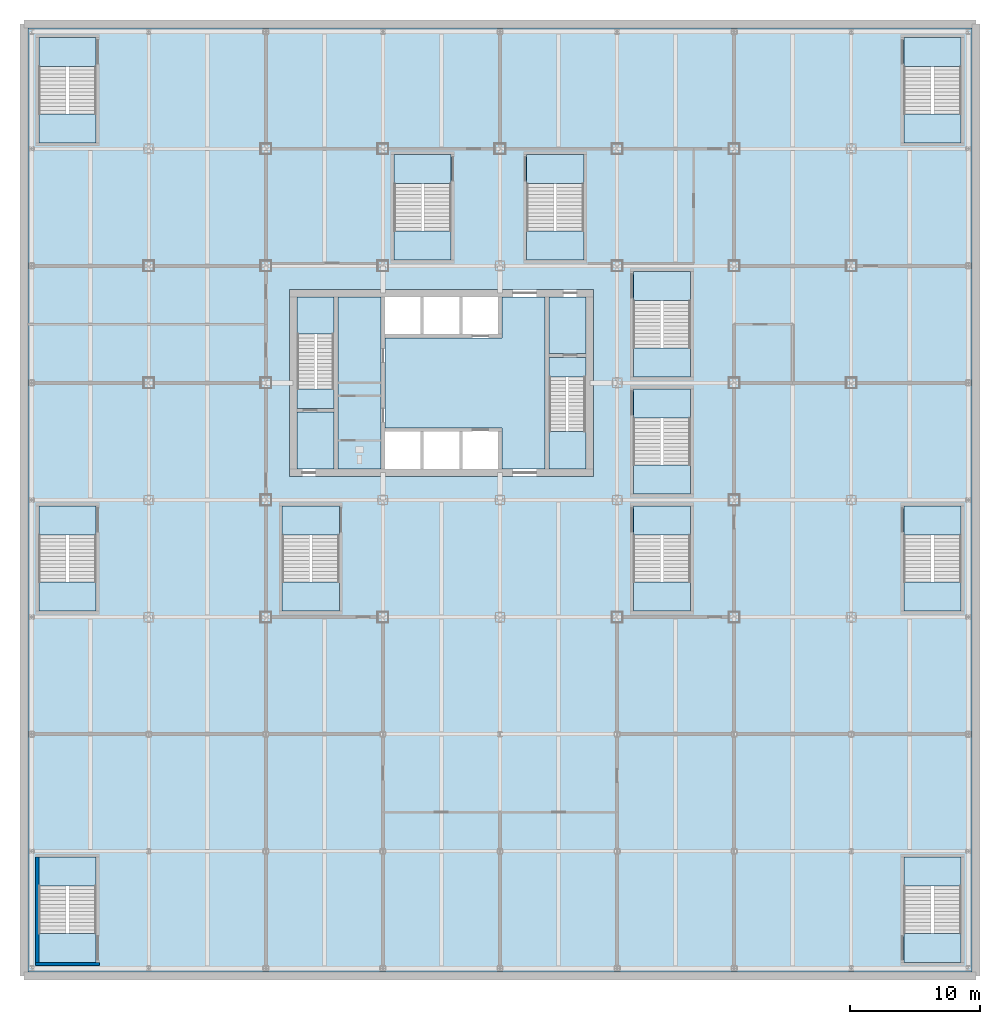
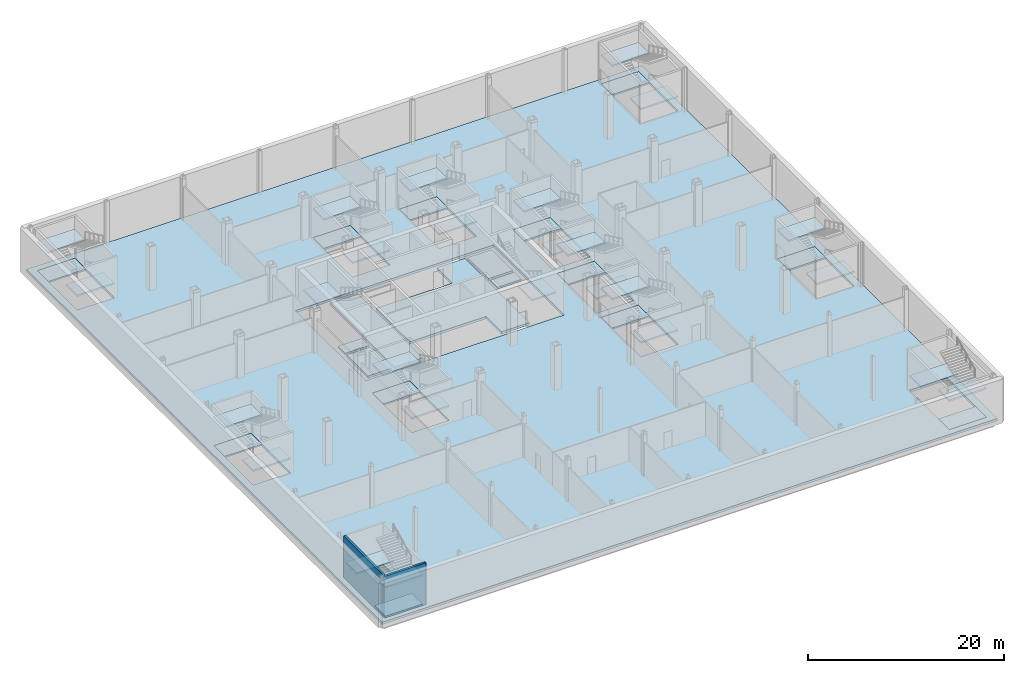
# One storey, part 7 of 27: 45 slabs, 2 walls, 14 elements without a shape of their own.
"""IFC4 building model written with IfcOpenShell, lengths in metres."""

from ifc_helpers import new_model, si_unit, direction, frame, frame_2d, origin, place, context, subcontext, project, spatial, polyline, rectangle, outline, extrude, material, layer, layer_set, type_object, element, aggregate, save


model = new_model("IFC4")

# Units and contexts
model_context = context("Model", 3, precision=1e-05, world=origin(), true_north=direction((0.0, 1.0)))
body_context = subcontext(model_context, "Body", "Model", "MODEL_VIEW")
ifc_project = project(units=[si_unit("LENGTHUNIT", "METRE"), si_unit("AREAUNIT", "SQUARE_METRE"), si_unit("VOLUMEUNIT", "CUBIC_METRE"), si_unit("PLANEANGLEUNIT", "RADIAN"), si_unit("MASSUNIT", "GRAM", prefix="KILO")], contexts=[model_context])

# Site, building, storey
site_placement = place(None, origin())
site = spatial("IfcSite", under=ifc_project, at=site_placement, CompositionType="ELEMENT")
building_placement = place(site_placement, origin())
building = spatial("IfcBuilding", under=site, at=building_placement, Name="Loomwork Tower", CompositionType="ELEMENT")
storey_placement = place(building_placement, frame((0.0, 0.0, -5.5)))
storey = spatial("IfcBuildingStorey", under=building, at=storey_placement, Name="B1", CompositionType="ELEMENT", Elevation=-5.5)

# Slabs
ifc_material_1 = material(Name="Concrete 5000 psi (34 MPa) on composite metal deck", Category="concrete")
ifc_layer_1 = layer(ifc_material_1, 0.300048828125)
ifc_layer_set_1 = layer_set([ifc_layer_1], Name="Floor slab 300")
slab_type_1 = type_object("IfcSlabType", Name="Floor slab 300", PredefinedType="FLOOR", material=ifc_layer_set_1)
slab_1_placement = place(storey_placement, frame((0.0, 0.0, -0.300048828125)))
element("IfcSlab", 1, at=slab_1_placement, inside=storey, type_object=slab_type_1, Name="Floor slab B1", PredefinedType="FLOOR", context=body_context, shape_type="SweptSolid", body=[
    extrude(outline(polyline([(-9.300048828125, -27.300048828125), (-9.300048828125, 45.300048828125), (63.300048828125, 45.300048828125), (63.300048828125, -27.300048828125), (-9.300048828125, -27.300048828125)]), holes=[polyline([(62.449951171875, -26.550048828125), (62.449951171875, -18.449951171875), (58.050048828125, -18.449951171875), (58.050048828125, -26.550048828125), (62.449951171875, -26.550048828125)]), polyline([(58.050048828125, 36.449951171875), (62.449951171875, 36.449951171875), (62.449951171875, 44.550048828125), (58.050048828125, 44.550048828125), (58.050048828125, 36.449951171875)]), polyline([(58.050048828125, 0.449951171875), (62.449951171875, 0.449951171875), (62.449951171875, 8.550048828125), (58.050048828125, 8.550048828125), (58.050048828125, 0.449951171875)]), polyline([(41.64990234375, 9.449951171875), (41.64990234375, 17.550048828125), (37.25, 17.550048828125), (37.25, 9.449951171875), (41.64990234375, 9.449951171875)]), polyline([(37.25, 18.449951171875), (41.64990234375, 18.449951171875), (41.64990234375, 26.550048828125), (37.25, 26.550048828125), (37.25, 18.449951171875)]), polyline([(37.25, 0.449951171875), (41.64990234375, 0.449951171875), (41.64990234375, 8.550048828125), (37.25, 8.550048828125), (37.25, 0.449951171875)]), polyline([(34.199951171875, 11.39990234375), (34.199951171875, 24.60009765625), (34.199951171875, 25.199951171875), (10.800048828125, 25.199951171875), (10.800048828125, 24.60009765625), (10.800048828125, 11.39990234375), (10.800048828125, 11.39990234375), (10.800048828125, 10.800048828125), (34.199951171875, 10.800048828125), (34.199951171875, 11.39990234375), (34.199951171875, 11.39990234375)]), polyline([(29.050048828125, 27.449951171875), (33.449951171875, 27.449951171875), (33.449951171875, 35.550048828125), (29.050048828125, 35.550048828125), (29.050048828125, 27.449951171875)]), polyline([(18.85009765625, 27.449951171875), (23.25, 27.449951171875), (23.25, 35.550048828125), (18.85009765625, 35.550048828125), (18.85009765625, 27.449951171875)]), polyline([(10.25, 0.449951171875), (14.64990234375, 0.449951171875), (14.64990234375, 8.550048828125), (10.25, 8.550048828125), (10.25, 0.449951171875)]), polyline([(-4.050048828125, -26.550048828125), (-4.050048828125, -18.449951171875), (-8.449951171875, -18.449951171875), (-8.449951171875, -26.550048828125), (-4.050048828125, -26.550048828125)]), polyline([(-8.449951171875, 36.449951171875), (-4.050048828125, 36.449951171875), (-4.050048828125, 44.550048828125), (-8.449951171875, 44.550048828125), (-8.449951171875, 36.449951171875)]), polyline([(-8.449951171875, 0.449951171875), (-4.050048828125, 0.449951171875), (-4.050048828125, 8.550048828125), (-8.449951171875, 8.550048828125), (-8.449951171875, 0.449951171875)])]), origin(), (0.0, 0.0, 1.0), 0.300048828125),
])
slab_2_placement = place(storey_placement, frame((0.0, 0.0, -0.300048828125)))
element("IfcSlab", 2, at=slab_2_placement, inside=storey, type_object=slab_type_1, Name="Floor slab B1", PredefinedType="FLOOR", context=body_context, shape_type="SweptSolid", body=[
    extrude(outline(polyline([(18.14990234375, 21.449951171875), (27.14990234375, 21.449951171875), (27.14990234375, 21.75), (27.14990234375, 24.60009765625), (30.449951171875, 24.60009765625), (30.449951171875, 11.39990234375), (27.14990234375, 11.39990234375), (27.14990234375, 14.25), (27.14990234375, 14.550048828125), (18.14990234375, 14.550048828125), (18.14990234375, 21.449951171875)])), origin(), (0.0, 0.0, 1.0), 0.300048828125),
])
slab_3_placement = place(storey_placement, frame((0.0, 0.0, -0.300048828125)))
element("IfcSlab", 3, at=slab_3_placement, inside=storey, type_object=slab_type_1, Name="Floor slab B1", PredefinedType="FLOOR", context=body_context, shape_type="SweptSolid", body=[
    extrude(outline(polyline([(14.550048828125, 24.60009765625), (17.85009765625, 24.60009765625), (17.85009765625, 11.39990234375), (14.550048828125, 11.39990234375), (14.550048828125, 24.60009765625)])), origin(), (0.0, 0.0, 1.0), 0.300048828125),
])
slab_4_placement = place(storey_placement, frame((0.0, 0.0, -0.300048828125)))
element("IfcSlab", 4, at=slab_4_placement, inside=storey, type_object=slab_type_1, Name="Floor slab B1", PredefinedType="FLOOR", context=body_context, shape_type="SweptSolid", body=[
    extrude(outline(polyline([(33.60009765625, 20.25), (30.75, 20.25), (30.75, 24.60009765625), (33.60009765625, 24.60009765625), (33.60009765625, 20.25)])), origin(), (0.0, 0.0, 1.0), 0.300048828125),
])
slab_5_placement = place(storey_placement, frame((0.0, 0.0, -0.300048828125)))
element("IfcSlab", 5, at=slab_5_placement, inside=storey, type_object=slab_type_1, Name="Floor slab B1", PredefinedType="FLOOR", context=body_context, shape_type="SweptSolid", body=[
    extrude(outline(polyline([(14.25, 15.75), (14.25, 11.39990234375), (11.39990234375, 11.39990234375), (11.39990234375, 15.75), (14.25, 15.75)])), origin(), (0.0, 0.0, 1.0), 0.300048828125),
])

# Stair, slabs
ifc_material_2 = material(Name="Concrete 5000 psi (34 MPa) precast stair", Category="concrete")
stair_type_1 = type_object("IfcStairType", Name="Stair ST-A 32 risers 2850 wide", PredefinedType="HALF_TURN_STAIR", material=ifc_material_2)
stair_1_placement = place(storey_placement, origin())
stair_1 = element("IfcStair", 6, at=stair_1_placement, inside=storey, type_object=stair_type_1, Name="Stair A B1", PredefinedType="HALF_TURN_STAIR")
ifc_material_3 = material(Name="Concrete 5000 psi (34 MPa)", Category="concrete")
ifc_layer_2 = layer(ifc_material_3, 0.199951171875)
ifc_layer_set_2 = layer_set([ifc_layer_2], Name="Stair landing 200")
slab_type_2 = type_object("IfcSlabType", Name="Stair landing 200", PredefinedType="LANDING", material=ifc_layer_set_2)
slab_6_placement = place(storey_placement, frame((0.0, 0.0, -0.199951171875)))
slab_6 = element("IfcSlab", 7, at=slab_6_placement, type_object=slab_type_2, Name="ST-A landing 1", PredefinedType="LANDING", context=body_context, shape_type="SweptSolid", body=[
    extrude(outline(polyline([(11.39990234375, 16.050048828125), (14.25, 16.050048828125), (14.25, 17.550048828125), (11.39990234375, 17.550048828125), (11.39990234375, 16.050048828125)])), origin(), (0.0, 0.0, 1.0), 0.199951171875),
])
slab_7_placement = place(storey_placement, frame((0.0, 0.0, 2.550048828125)))
slab_7 = element("IfcSlab", 8, at=slab_7_placement, type_object=slab_type_2, Name="ST-A landing 2", PredefinedType="LANDING", context=body_context, shape_type="SweptSolid", body=[
    extrude(outline(polyline([(11.39990234375, 21.75), (14.25, 21.75), (14.25, 24.60009765625), (11.39990234375, 24.60009765625), (11.39990234375, 21.75)])), origin(), (0.0, 0.0, 1.0), 0.199951171875),
])
aggregate(stair_1, [slab_6, slab_7])

ifc_material_4 = material(Name="Concrete 5000 psi (34 MPa) precast stair", Category="concrete")
stair_type_2 = type_object("IfcStairType", Name="Stair ST-B 32 risers 2850 wide", PredefinedType="HALF_TURN_STAIR", material=ifc_material_4)
stair_2_placement = place(storey_placement, origin())
stair_2 = element("IfcStair", 9, at=stair_2_placement, inside=storey, type_object=stair_type_2, Name="Stair B B1", PredefinedType="HALF_TURN_STAIR")
slab_8_placement = place(storey_placement, frame((0.0, 0.0, -0.199951171875)))
slab_8 = element("IfcSlab", 10, at=slab_8_placement, type_object=slab_type_2, Name="ST-B landing 1", PredefinedType="LANDING", context=body_context, shape_type="SweptSolid", body=[
    extrude(outline(polyline([(30.75, 18.449951171875), (33.60009765625, 18.449951171875), (33.60009765625, 19.949951171875), (30.75, 19.949951171875), (30.75, 18.449951171875)])), origin(), (0.0, 0.0, 1.0), 0.199951171875),
])
slab_9_placement = place(storey_placement, frame((0.0, 0.0, 2.550048828125)))
slab_9 = element("IfcSlab", 11, at=slab_9_placement, type_object=slab_type_2, Name="ST-B landing 2", PredefinedType="LANDING", context=body_context, shape_type="SweptSolid", body=[
    extrude(outline(polyline([(30.75, 11.39990234375), (33.60009765625, 11.39990234375), (33.60009765625, 14.25), (30.75, 14.25), (30.75, 11.39990234375)])), origin(), (0.0, 0.0, 1.0), 0.199951171875),
])
aggregate(stair_2, [slab_8, slab_9])

ifc_material_5 = material(Name="Concrete 5000 psi (34 MPa) precast stair", Category="concrete")
stair_type_3 = type_object("IfcStairType", Name="Stair ST-S1P 42 risers of 131 4400 wide", PredefinedType="HALF_TURN_STAIR", material=ifc_material_5)
stair_3_placement = place(storey_placement, origin())
stair_3 = element("IfcStair", 12, at=stair_3_placement, inside=storey, type_object=stair_type_3, Name="Podium stair PS1 B1", PredefinedType="HALF_TURN_STAIR")
slab_10_placement = place(storey_placement, frame((0.0, 0.0, -0.199951171875)))
slab_10 = element("IfcSlab", 13, at=slab_10_placement, type_object=slab_type_2, Name="ST-S1P landing 1", PredefinedType="LANDING", context=body_context, shape_type="SweptSolid", body=[
    extrude(outline(polyline([(-8.449951171875, -26.550048828125), (-4.050048828125, -26.550048828125), (-4.050048828125, -24.320068359375), (-8.449951171875, -24.320068359375), (-8.449951171875, -26.550048828125)])), origin(), (0.0, 0.0, 1.0), 0.199951171875),
])
slab_11_placement = place(storey_placement, frame((0.0, 0.0, 1.63330078125)))
slab_11 = element("IfcSlab", 14, at=slab_11_placement, type_object=slab_type_2, Name="ST-S1P landing 2", PredefinedType="LANDING", context=body_context, shape_type="SweptSolid", body=[
    extrude(outline(polyline([(-8.449951171875, -20.679931640625), (-4.050048828125, -20.679931640625), (-4.050048828125, -18.449951171875), (-8.449951171875, -18.449951171875), (-8.449951171875, -20.679931640625)])), origin(), (0.0, 0.0, 1.0), 0.199951171875),
])
slab_12_placement = place(storey_placement, frame((0.0, 0.0, 3.466796875)))
slab_12 = element("IfcSlab", 15, at=slab_12_placement, type_object=slab_type_2, Name="ST-S1P landing 3", PredefinedType="LANDING", context=body_context, shape_type="SweptSolid", body=[
    extrude(outline(polyline([(-8.449951171875, -26.550048828125), (-4.050048828125, -26.550048828125), (-4.050048828125, -24.320068359375), (-8.449951171875, -24.320068359375), (-8.449951171875, -26.550048828125)])), origin(), (0.0, 0.0, 1.0), 0.199951171875),
])
aggregate(stair_3, [slab_10, slab_11, slab_12])

ifc_material_6 = material(Name="Concrete 5000 psi (34 MPa) precast stair", Category="concrete")
stair_type_4 = type_object("IfcStairType", Name="Stair ST-S2P 42 risers of 131 4400 wide", PredefinedType="HALF_TURN_STAIR", material=ifc_material_6)
stair_4_placement = place(storey_placement, origin())
stair_4 = element("IfcStair", 16, at=stair_4_placement, inside=storey, type_object=stair_type_4, Name="Podium stair PS2 B1", PredefinedType="HALF_TURN_STAIR")
slab_13_placement = place(storey_placement, frame((0.0, 0.0, -0.199951171875)))
slab_13 = element("IfcSlab", 17, at=slab_13_placement, type_object=slab_type_2, Name="ST-S2P landing 1", PredefinedType="LANDING", context=body_context, shape_type="SweptSolid", body=[
    extrude(outline(polyline([(58.050048828125, -26.550048828125), (62.449951171875, -26.550048828125), (62.449951171875, -24.320068359375), (58.050048828125, -24.320068359375), (58.050048828125, -26.550048828125)])), origin(), (0.0, 0.0, 1.0), 0.199951171875),
])
slab_14_placement = place(storey_placement, frame((0.0, 0.0, 1.63330078125)))
slab_14 = element("IfcSlab", 18, at=slab_14_placement, type_object=slab_type_2, Name="ST-S2P landing 2", PredefinedType="LANDING", context=body_context, shape_type="SweptSolid", body=[
    extrude(outline(polyline([(58.050048828125, -20.679931640625), (62.449951171875, -20.679931640625), (62.449951171875, -18.449951171875), (58.050048828125, -18.449951171875), (58.050048828125, -20.679931640625)])), origin(), (0.0, 0.0, 1.0), 0.199951171875),
])
slab_15_placement = place(storey_placement, frame((0.0, 0.0, 3.466796875)))
slab_15 = element("IfcSlab", 19, at=slab_15_placement, type_object=slab_type_2, Name="ST-S2P landing 3", PredefinedType="LANDING", context=body_context, shape_type="SweptSolid", body=[
    extrude(outline(polyline([(58.050048828125, -26.550048828125), (62.449951171875, -26.550048828125), (62.449951171875, -24.320068359375), (58.050048828125, -24.320068359375), (58.050048828125, -26.550048828125)])), origin(), (0.0, 0.0, 1.0), 0.199951171875),
])
aggregate(stair_4, [slab_13, slab_14, slab_15])

ifc_material_7 = material(Name="Concrete 5000 psi (34 MPa) precast stair", Category="concrete")
stair_type_5 = type_object("IfcStairType", Name="Stair ST-S3P 42 risers of 131 4400 wide", PredefinedType="HALF_TURN_STAIR", material=ifc_material_7)
stair_5_placement = place(storey_placement, origin())
stair_5 = element("IfcStair", 20, at=stair_5_placement, inside=storey, type_object=stair_type_5, Name="Podium stair PS3 B1", PredefinedType="HALF_TURN_STAIR")
slab_16_placement = place(storey_placement, frame((0.0, 0.0, -0.199951171875)))
slab_16 = element("IfcSlab", 21, at=slab_16_placement, type_object=slab_type_2, Name="ST-S3P landing 1", PredefinedType="LANDING", context=body_context, shape_type="SweptSolid", body=[
    extrude(outline(polyline([(-8.449951171875, 42.320068359375), (-4.050048828125, 42.320068359375), (-4.050048828125, 44.550048828125), (-8.449951171875, 44.550048828125), (-8.449951171875, 42.320068359375)])), origin(), (0.0, 0.0, 1.0), 0.199951171875),
])
slab_17_placement = place(storey_placement, frame((0.0, 0.0, 1.63330078125)))
slab_17 = element("IfcSlab", 22, at=slab_17_placement, type_object=slab_type_2, Name="ST-S3P landing 2", PredefinedType="LANDING", context=body_context, shape_type="SweptSolid", body=[
    extrude(outline(polyline([(-8.449951171875, 36.449951171875), (-4.050048828125, 36.449951171875), (-4.050048828125, 38.679931640625), (-8.449951171875, 38.679931640625), (-8.449951171875, 36.449951171875)])), origin(), (0.0, 0.0, 1.0), 0.199951171875),
])
slab_18_placement = place(storey_placement, frame((0.0, 0.0, 3.466796875)))
slab_18 = element("IfcSlab", 23, at=slab_18_placement, type_object=slab_type_2, Name="ST-S3P landing 3", PredefinedType="LANDING", context=body_context, shape_type="SweptSolid", body=[
    extrude(outline(polyline([(-8.449951171875, 42.320068359375), (-4.050048828125, 42.320068359375), (-4.050048828125, 44.550048828125), (-8.449951171875, 44.550048828125), (-8.449951171875, 42.320068359375)])), origin(), (0.0, 0.0, 1.0), 0.199951171875),
])
aggregate(stair_5, [slab_16, slab_17, slab_18])

ifc_material_8 = material(Name="Concrete 5000 psi (34 MPa) precast stair", Category="concrete")
stair_type_6 = type_object("IfcStairType", Name="Stair ST-S4P 42 risers of 131 4400 wide", PredefinedType="HALF_TURN_STAIR", material=ifc_material_8)
stair_6_placement = place(storey_placement, origin())
stair_6 = element("IfcStair", 24, at=stair_6_placement, inside=storey, type_object=stair_type_6, Name="Podium stair PS4 B1", PredefinedType="HALF_TURN_STAIR")
slab_19_placement = place(storey_placement, frame((0.0, 0.0, -0.199951171875)))
slab_19 = element("IfcSlab", 25, at=slab_19_placement, type_object=slab_type_2, Name="ST-S4P landing 1", PredefinedType="LANDING", context=body_context, shape_type="SweptSolid", body=[
    extrude(outline(polyline([(58.050048828125, 42.320068359375), (62.449951171875, 42.320068359375), (62.449951171875, 44.550048828125), (58.050048828125, 44.550048828125), (58.050048828125, 42.320068359375)])), origin(), (0.0, 0.0, 1.0), 0.199951171875),
])
slab_20_placement = place(storey_placement, frame((0.0, 0.0, 1.63330078125)))
slab_20 = element("IfcSlab", 26, at=slab_20_placement, type_object=slab_type_2, Name="ST-S4P landing 2", PredefinedType="LANDING", context=body_context, shape_type="SweptSolid", body=[
    extrude(outline(polyline([(58.050048828125, 36.449951171875), (62.449951171875, 36.449951171875), (62.449951171875, 38.679931640625), (58.050048828125, 38.679931640625), (58.050048828125, 36.449951171875)])), origin(), (0.0, 0.0, 1.0), 0.199951171875),
])
slab_21_placement = place(storey_placement, frame((0.0, 0.0, 3.466796875)))
slab_21 = element("IfcSlab", 27, at=slab_21_placement, type_object=slab_type_2, Name="ST-S4P landing 3", PredefinedType="LANDING", context=body_context, shape_type="SweptSolid", body=[
    extrude(outline(polyline([(58.050048828125, 42.320068359375), (62.449951171875, 42.320068359375), (62.449951171875, 44.550048828125), (58.050048828125, 44.550048828125), (58.050048828125, 42.320068359375)])), origin(), (0.0, 0.0, 1.0), 0.199951171875),
])
aggregate(stair_6, [slab_19, slab_20, slab_21])

ifc_material_9 = material(Name="Concrete 5000 psi (34 MPa) precast stair", Category="concrete")
stair_type_7 = type_object("IfcStairType", Name="Stair ST-S5P 42 risers of 131 4400 wide", PredefinedType="HALF_TURN_STAIR", material=ifc_material_9)
stair_7_placement = place(storey_placement, origin())
stair_7 = element("IfcStair", 28, at=stair_7_placement, inside=storey, type_object=stair_type_7, Name="Podium stair PS5 B1", PredefinedType="HALF_TURN_STAIR")
slab_22_placement = place(storey_placement, frame((0.0, 0.0, -0.199951171875)))
slab_22 = element("IfcSlab", 29, at=slab_22_placement, type_object=slab_type_2, Name="ST-S5P landing 1", PredefinedType="LANDING", context=body_context, shape_type="SweptSolid", body=[
    extrude(outline(polyline([(-8.449951171875, 6.320068359375), (-4.050048828125, 6.320068359375), (-4.050048828125, 8.550048828125), (-8.449951171875, 8.550048828125), (-8.449951171875, 6.320068359375)])), origin(), (0.0, 0.0, 1.0), 0.199951171875),
])
slab_23_placement = place(storey_placement, frame((0.0, 0.0, 1.63330078125)))
slab_23 = element("IfcSlab", 30, at=slab_23_placement, type_object=slab_type_2, Name="ST-S5P landing 2", PredefinedType="LANDING", context=body_context, shape_type="SweptSolid", body=[
    extrude(outline(polyline([(-8.449951171875, 0.449951171875), (-4.050048828125, 0.449951171875), (-4.050048828125, 2.679931640625), (-8.449951171875, 2.679931640625), (-8.449951171875, 0.449951171875)])), origin(), (0.0, 0.0, 1.0), 0.199951171875),
])
slab_24_placement = place(storey_placement, frame((0.0, 0.0, 3.466796875)))
slab_24 = element("IfcSlab", 31, at=slab_24_placement, type_object=slab_type_2, Name="ST-S5P landing 3", PredefinedType="LANDING", context=body_context, shape_type="SweptSolid", body=[
    extrude(outline(polyline([(-8.449951171875, 6.320068359375), (-4.050048828125, 6.320068359375), (-4.050048828125, 8.550048828125), (-8.449951171875, 8.550048828125), (-8.449951171875, 6.320068359375)])), origin(), (0.0, 0.0, 1.0), 0.199951171875),
])
aggregate(stair_7, [slab_22, slab_23, slab_24])

ifc_material_10 = material(Name="Concrete 5000 psi (34 MPa) precast stair", Category="concrete")
stair_type_8 = type_object("IfcStairType", Name="Stair ST-S6P 42 risers of 131 4400 wide", PredefinedType="HALF_TURN_STAIR", material=ifc_material_10)
stair_8_placement = place(storey_placement, origin())
stair_8 = element("IfcStair", 32, at=stair_8_placement, inside=storey, type_object=stair_type_8, Name="Podium stair PS6 B1", PredefinedType="HALF_TURN_STAIR")
slab_25_placement = place(storey_placement, frame((0.0, 0.0, -0.199951171875)))
slab_25 = element("IfcSlab", 33, at=slab_25_placement, type_object=slab_type_2, Name="ST-S6P landing 1", PredefinedType="LANDING", context=body_context, shape_type="SweptSolid", body=[
    extrude(outline(polyline([(58.050048828125, 6.320068359375), (62.449951171875, 6.320068359375), (62.449951171875, 8.550048828125), (58.050048828125, 8.550048828125), (58.050048828125, 6.320068359375)])), origin(), (0.0, 0.0, 1.0), 0.199951171875),
])
slab_26_placement = place(storey_placement, frame((0.0, 0.0, 1.63330078125)))
slab_26 = element("IfcSlab", 34, at=slab_26_placement, type_object=slab_type_2, Name="ST-S6P landing 2", PredefinedType="LANDING", context=body_context, shape_type="SweptSolid", body=[
    extrude(outline(polyline([(58.050048828125, 0.449951171875), (62.449951171875, 0.449951171875), (62.449951171875, 2.679931640625), (58.050048828125, 2.679931640625), (58.050048828125, 0.449951171875)])), origin(), (0.0, 0.0, 1.0), 0.199951171875),
])
slab_27_placement = place(storey_placement, frame((0.0, 0.0, 3.466796875)))
slab_27 = element("IfcSlab", 35, at=slab_27_placement, type_object=slab_type_2, Name="ST-S6P landing 3", PredefinedType="LANDING", context=body_context, shape_type="SweptSolid", body=[
    extrude(outline(polyline([(58.050048828125, 6.320068359375), (62.449951171875, 6.320068359375), (62.449951171875, 8.550048828125), (58.050048828125, 8.550048828125), (58.050048828125, 6.320068359375)])), origin(), (0.0, 0.0, 1.0), 0.199951171875),
])
aggregate(stair_8, [slab_25, slab_26, slab_27])

ifc_material_11 = material(Name="Concrete 5000 psi (34 MPa) precast stair", Category="concrete")
stair_type_9 = type_object("IfcStairType", Name="Stair ST-S7P 42 risers of 131 4400 wide", PredefinedType="HALF_TURN_STAIR", material=ifc_material_11)
stair_9_placement = place(storey_placement, origin())
stair_9 = element("IfcStair", 36, at=stair_9_placement, inside=storey, type_object=stair_type_9, Name="Podium stair PS7 B1", PredefinedType="HALF_TURN_STAIR")
slab_28_placement = place(storey_placement, frame((0.0, 0.0, -0.199951171875)))
slab_28 = element("IfcSlab", 37, at=slab_28_placement, type_object=slab_type_2, Name="ST-S7P landing 1", PredefinedType="LANDING", context=body_context, shape_type="SweptSolid", body=[
    extrude(outline(polyline([(37.25, 6.320068359375), (41.64990234375, 6.320068359375), (41.64990234375, 8.550048828125), (37.25, 8.550048828125), (37.25, 6.320068359375)])), origin(), (0.0, 0.0, 1.0), 0.199951171875),
])
slab_29_placement = place(storey_placement, frame((0.0, 0.0, 1.63330078125)))
slab_29 = element("IfcSlab", 38, at=slab_29_placement, type_object=slab_type_2, Name="ST-S7P landing 2", PredefinedType="LANDING", context=body_context, shape_type="SweptSolid", body=[
    extrude(outline(polyline([(37.25, 0.449951171875), (41.64990234375, 0.449951171875), (41.64990234375, 2.679931640625), (37.25, 2.679931640625), (37.25, 0.449951171875)])), origin(), (0.0, 0.0, 1.0), 0.199951171875),
])
slab_30_placement = place(storey_placement, frame((0.0, 0.0, 3.466796875)))
slab_30 = element("IfcSlab", 39, at=slab_30_placement, type_object=slab_type_2, Name="ST-S7P landing 3", PredefinedType="LANDING", context=body_context, shape_type="SweptSolid", body=[
    extrude(outline(polyline([(37.25, 6.320068359375), (41.64990234375, 6.320068359375), (41.64990234375, 8.550048828125), (37.25, 8.550048828125), (37.25, 6.320068359375)])), origin(), (0.0, 0.0, 1.0), 0.199951171875),
])
aggregate(stair_9, [slab_28, slab_29, slab_30])

ifc_material_12 = material(Name="Concrete 5000 psi (34 MPa) precast stair", Category="concrete")
stair_type_10 = type_object("IfcStairType", Name="Stair ST-S8P 42 risers of 131 4400 wide", PredefinedType="HALF_TURN_STAIR", material=ifc_material_12)
stair_10_placement = place(storey_placement, origin())
stair_10 = element("IfcStair", 40, at=stair_10_placement, inside=storey, type_object=stair_type_10, Name="Podium stair PS8 B1", PredefinedType="HALF_TURN_STAIR")
slab_31_placement = place(storey_placement, frame((0.0, 0.0, -0.199951171875)))
slab_31 = element("IfcSlab", 41, at=slab_31_placement, type_object=slab_type_2, Name="ST-S8P landing 1", PredefinedType="LANDING", context=body_context, shape_type="SweptSolid", body=[
    extrude(outline(polyline([(37.25, 15.320068359375), (41.64990234375, 15.320068359375), (41.64990234375, 17.550048828125), (37.25, 17.550048828125), (37.25, 15.320068359375)])), origin(), (0.0, 0.0, 1.0), 0.199951171875),
])
slab_32_placement = place(storey_placement, frame((0.0, 0.0, 1.63330078125)))
slab_32 = element("IfcSlab", 42, at=slab_32_placement, type_object=slab_type_2, Name="ST-S8P landing 2", PredefinedType="LANDING", context=body_context, shape_type="SweptSolid", body=[
    extrude(outline(polyline([(37.25, 9.449951171875), (41.64990234375, 9.449951171875), (41.64990234375, 11.679931640625), (37.25, 11.679931640625), (37.25, 9.449951171875)])), origin(), (0.0, 0.0, 1.0), 0.199951171875),
])
slab_33_placement = place(storey_placement, frame((0.0, 0.0, 3.466796875)))
slab_33 = element("IfcSlab", 43, at=slab_33_placement, type_object=slab_type_2, Name="ST-S8P landing 3", PredefinedType="LANDING", context=body_context, shape_type="SweptSolid", body=[
    extrude(outline(polyline([(37.25, 15.320068359375), (41.64990234375, 15.320068359375), (41.64990234375, 17.550048828125), (37.25, 17.550048828125), (37.25, 15.320068359375)])), origin(), (0.0, 0.0, 1.0), 0.199951171875),
])
aggregate(stair_10, [slab_31, slab_32, slab_33])

ifc_material_13 = material(Name="Concrete 5000 psi (34 MPa) precast stair", Category="concrete")
stair_type_11 = type_object("IfcStairType", Name="Stair ST-S9P 42 risers of 131 4400 wide", PredefinedType="HALF_TURN_STAIR", material=ifc_material_13)
stair_11_placement = place(storey_placement, origin())
stair_11 = element("IfcStair", 44, at=stair_11_placement, inside=storey, type_object=stair_type_11, Name="Podium stair PS9 B1", PredefinedType="HALF_TURN_STAIR")
slab_34_placement = place(storey_placement, frame((0.0, 0.0, -0.199951171875)))
slab_34 = element("IfcSlab", 45, at=slab_34_placement, type_object=slab_type_2, Name="ST-S9P landing 1", PredefinedType="LANDING", context=body_context, shape_type="SweptSolid", body=[
    extrude(outline(polyline([(37.25, 24.320068359375), (41.64990234375, 24.320068359375), (41.64990234375, 26.550048828125), (37.25, 26.550048828125), (37.25, 24.320068359375)])), origin(), (0.0, 0.0, 1.0), 0.199951171875),
])
slab_35_placement = place(storey_placement, frame((0.0, 0.0, 1.63330078125)))
slab_35 = element("IfcSlab", 46, at=slab_35_placement, type_object=slab_type_2, Name="ST-S9P landing 2", PredefinedType="LANDING", context=body_context, shape_type="SweptSolid", body=[
    extrude(outline(polyline([(37.25, 18.449951171875), (41.64990234375, 18.449951171875), (41.64990234375, 20.679931640625), (37.25, 20.679931640625), (37.25, 18.449951171875)])), origin(), (0.0, 0.0, 1.0), 0.199951171875),
])
slab_36_placement = place(storey_placement, frame((0.0, 0.0, 3.466796875)))
slab_36 = element("IfcSlab", 47, at=slab_36_placement, type_object=slab_type_2, Name="ST-S9P landing 3", PredefinedType="LANDING", context=body_context, shape_type="SweptSolid", body=[
    extrude(outline(polyline([(37.25, 24.320068359375), (41.64990234375, 24.320068359375), (41.64990234375, 26.550048828125), (37.25, 26.550048828125), (37.25, 24.320068359375)])), origin(), (0.0, 0.0, 1.0), 0.199951171875),
])
aggregate(stair_11, [slab_34, slab_35, slab_36])

ifc_material_14 = material(Name="Concrete 5000 psi (34 MPa) precast stair", Category="concrete")
stair_type_12 = type_object("IfcStairType", Name="Stair ST-S10P 42 risers of 131 4400 wide", PredefinedType="HALF_TURN_STAIR", material=ifc_material_14)
stair_12_placement = place(storey_placement, origin())
stair_12 = element("IfcStair", 48, at=stair_12_placement, inside=storey, type_object=stair_type_12, Name="Podium stair PS10 B1", PredefinedType="HALF_TURN_STAIR")
slab_37_placement = place(storey_placement, frame((0.0, 0.0, -0.199951171875)))
slab_37 = element("IfcSlab", 49, at=slab_37_placement, type_object=slab_type_2, Name="ST-S10P landing 1", PredefinedType="LANDING", context=body_context, shape_type="SweptSolid", body=[
    extrude(outline(polyline([(18.85009765625, 33.320068359375), (23.25, 33.320068359375), (23.25, 35.550048828125), (18.85009765625, 35.550048828125), (18.85009765625, 33.320068359375)])), origin(), (0.0, 0.0, 1.0), 0.199951171875),
])
slab_38_placement = place(storey_placement, frame((0.0, 0.0, 1.63330078125)))
slab_38 = element("IfcSlab", 50, at=slab_38_placement, type_object=slab_type_2, Name="ST-S10P landing 2", PredefinedType="LANDING", context=body_context, shape_type="SweptSolid", body=[
    extrude(outline(polyline([(18.85009765625, 27.449951171875), (23.25, 27.449951171875), (23.25, 29.679931640625), (18.85009765625, 29.679931640625), (18.85009765625, 27.449951171875)])), origin(), (0.0, 0.0, 1.0), 0.199951171875),
])
slab_39_placement = place(storey_placement, frame((0.0, 0.0, 3.466796875)))
slab_39 = element("IfcSlab", 51, at=slab_39_placement, type_object=slab_type_2, Name="ST-S10P landing 3", PredefinedType="LANDING", context=body_context, shape_type="SweptSolid", body=[
    extrude(outline(polyline([(18.85009765625, 33.320068359375), (23.25, 33.320068359375), (23.25, 35.550048828125), (18.85009765625, 35.550048828125), (18.85009765625, 33.320068359375)])), origin(), (0.0, 0.0, 1.0), 0.199951171875),
])
aggregate(stair_12, [slab_37, slab_38, slab_39])

ifc_material_15 = material(Name="Concrete 5000 psi (34 MPa) precast stair", Category="concrete")
stair_type_13 = type_object("IfcStairType", Name="Stair ST-S11P 42 risers of 131 4400 wide", PredefinedType="HALF_TURN_STAIR", material=ifc_material_15)
stair_13_placement = place(storey_placement, origin())
stair_13 = element("IfcStair", 52, at=stair_13_placement, inside=storey, type_object=stair_type_13, Name="Podium stair PS11 B1", PredefinedType="HALF_TURN_STAIR")
slab_40_placement = place(storey_placement, frame((0.0, 0.0, -0.199951171875)))
slab_40 = element("IfcSlab", 53, at=slab_40_placement, type_object=slab_type_2, Name="ST-S11P landing 1", PredefinedType="LANDING", context=body_context, shape_type="SweptSolid", body=[
    extrude(outline(polyline([(29.050048828125, 33.320068359375), (33.449951171875, 33.320068359375), (33.449951171875, 35.550048828125), (29.050048828125, 35.550048828125), (29.050048828125, 33.320068359375)])), origin(), (0.0, 0.0, 1.0), 0.199951171875),
])
slab_41_placement = place(storey_placement, frame((0.0, 0.0, 1.63330078125)))
slab_41 = element("IfcSlab", 54, at=slab_41_placement, type_object=slab_type_2, Name="ST-S11P landing 2", PredefinedType="LANDING", context=body_context, shape_type="SweptSolid", body=[
    extrude(outline(polyline([(29.050048828125, 27.449951171875), (33.449951171875, 27.449951171875), (33.449951171875, 29.679931640625), (29.050048828125, 29.679931640625), (29.050048828125, 27.449951171875)])), origin(), (0.0, 0.0, 1.0), 0.199951171875),
])
slab_42_placement = place(storey_placement, frame((0.0, 0.0, 3.466796875)))
slab_42 = element("IfcSlab", 55, at=slab_42_placement, type_object=slab_type_2, Name="ST-S11P landing 3", PredefinedType="LANDING", context=body_context, shape_type="SweptSolid", body=[
    extrude(outline(polyline([(29.050048828125, 33.320068359375), (33.449951171875, 33.320068359375), (33.449951171875, 35.550048828125), (29.050048828125, 35.550048828125), (29.050048828125, 33.320068359375)])), origin(), (0.0, 0.0, 1.0), 0.199951171875),
])
aggregate(stair_13, [slab_40, slab_41, slab_42])

ifc_material_16 = material(Name="Concrete 5000 psi (34 MPa) precast stair", Category="concrete")
stair_type_14 = type_object("IfcStairType", Name="Stair ST-S12P 42 risers of 131 4400 wide", PredefinedType="HALF_TURN_STAIR", material=ifc_material_16)
stair_14_placement = place(storey_placement, origin())
stair_14 = element("IfcStair", 56, at=stair_14_placement, inside=storey, type_object=stair_type_14, Name="Podium stair PS12 B1", PredefinedType="HALF_TURN_STAIR")
slab_43_placement = place(storey_placement, frame((0.0, 0.0, -0.199951171875)))
slab_43 = element("IfcSlab", 57, at=slab_43_placement, type_object=slab_type_2, Name="ST-S12P landing 1", PredefinedType="LANDING", context=body_context, shape_type="SweptSolid", body=[
    extrude(outline(polyline([(10.25, 6.320068359375), (14.64990234375, 6.320068359375), (14.64990234375, 8.550048828125), (10.25, 8.550048828125), (10.25, 6.320068359375)])), origin(), (0.0, 0.0, 1.0), 0.199951171875),
])
slab_44_placement = place(storey_placement, frame((0.0, 0.0, 1.63330078125)))
slab_44 = element("IfcSlab", 58, at=slab_44_placement, type_object=slab_type_2, Name="ST-S12P landing 2", PredefinedType="LANDING", context=body_context, shape_type="SweptSolid", body=[
    extrude(outline(polyline([(10.25, 0.449951171875), (14.64990234375, 0.449951171875), (14.64990234375, 2.679931640625), (10.25, 2.679931640625), (10.25, 0.449951171875)])), origin(), (0.0, 0.0, 1.0), 0.199951171875),
])
slab_45_placement = place(storey_placement, frame((0.0, 0.0, 3.466796875)))
slab_45 = element("IfcSlab", 59, at=slab_45_placement, type_object=slab_type_2, Name="ST-S12P landing 3", PredefinedType="LANDING", context=body_context, shape_type="SweptSolid", body=[
    extrude(outline(polyline([(10.25, 6.320068359375), (14.64990234375, 6.320068359375), (14.64990234375, 8.550048828125), (10.25, 8.550048828125), (10.25, 6.320068359375)])), origin(), (0.0, 0.0, 1.0), 0.199951171875),
])
aggregate(stair_14, [slab_43, slab_44, slab_45])

# Walls
ifc_material_17 = material(Name="Concrete masonry, two-hour", Category="masonry")
ifc_layer_3 = layer(ifc_material_17, 0.25)
ifc_layer_set_3 = layer_set([ifc_layer_3], Name="Stair enclosure wall 250")
wall_type = type_object("IfcWallType", Name="Stair enclosure wall 250", PredefinedType="SOLIDWALL", material=ifc_layer_set_3)
wall_1_placement = place(storey_placement, frame((-8.699951171875, -26.675048828125, 0.0), z_axis=(0.0, 0.0, 1.0), x_axis=(1.0, 0.0, 0.0)))
element("IfcWall", 60, at=wall_1_placement, inside=storey, type_object=wall_type, Name="Stair PS1 enclosure wall S B1", PredefinedType="SOLIDWALL", context=body_context, shape_type="SweptSolid", body=[
    extrude(rectangle(XDim=4.89990234375, YDim=0.25, at=frame_2d((2.449951171875, 0.0))), origin(), (0.0, 0.0, 1.0), 5.199951171875),
])
wall_2_placement = place(storey_placement, frame((-8.574951171875, -26.550048828125, 0.0), z_axis=(0.0, 0.0, 1.0), x_axis=(0.0, 1.0, 0.0)))
element("IfcWall", 61, at=wall_2_placement, inside=storey, type_object=wall_type, Name="Stair PS1 enclosure wall W B1", PredefinedType="SOLIDWALL", context=body_context, shape_type="SweptSolid", body=[
    extrude(rectangle(XDim=8.10009765625, YDim=0.25, at=frame_2d((4.050048828125, 0.0))), origin(), (0.0, 0.0, 1.0), 5.199951171875),
])

save(model, "model.ifc")
